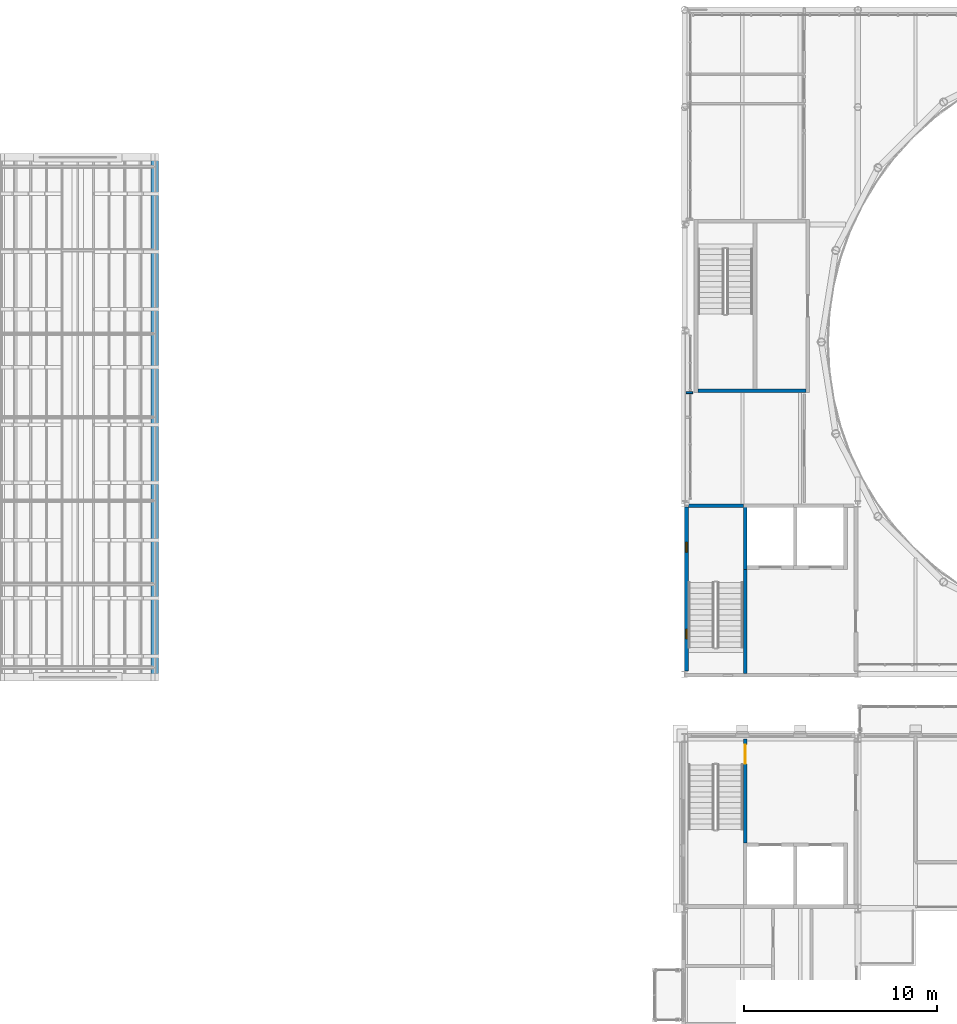
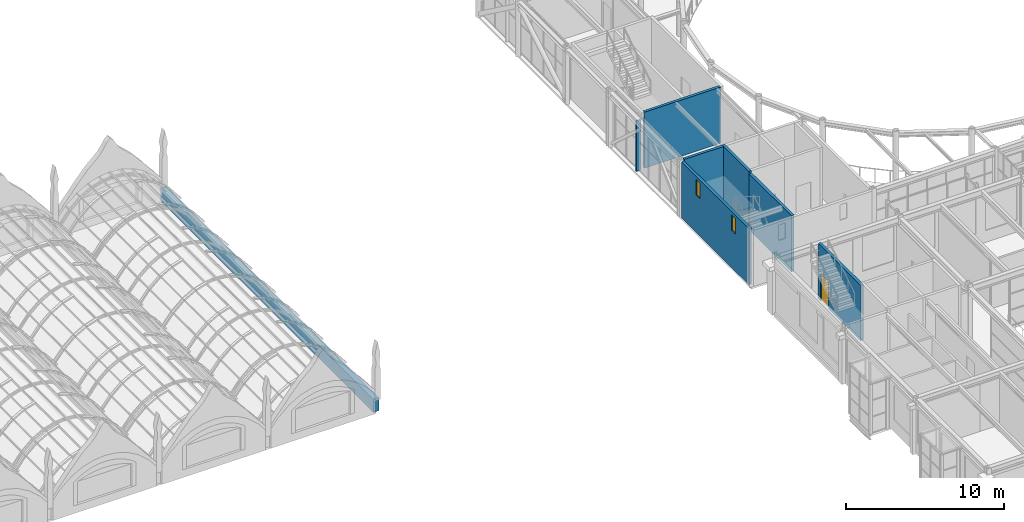
# One storey, part 69 of 111: 8 walls, 2 windows, 1 door, 3 openings.
"""IFC4 building model written with IfcOpenShell, lengths in metres."""

from ifc_helpers import new_model, si_unit, direction, frame, frame_2d, origin, place, context, subcontext, project, spatial, rectangle, extrude, material, layer, layer_set, type_object, element, fill, save


model = new_model("IFC4")

# Units and contexts
model_context = context("Model", 3, precision=1e-05, world=origin(), true_north=direction((0.0, 1.0)))
body_context = subcontext(model_context, "Body", "Model", "MODEL_VIEW")
ifc_project = project(units=[si_unit("LENGTHUNIT", "METRE"), si_unit("AREAUNIT", "SQUARE_METRE"), si_unit("VOLUMEUNIT", "CUBIC_METRE"), si_unit("PLANEANGLEUNIT", "RADIAN"), si_unit("MASSUNIT", "GRAM", prefix="KILO")], contexts=[model_context])

# Site, building, storey
site_placement = place(None, origin())
site = spatial("IfcSite", under=ifc_project, at=site_placement, CompositionType="ELEMENT")
building_placement = place(site_placement, origin())
building = spatial("IfcBuilding", under=site, at=building_placement, Name="Kallimachos Central Library", CompositionType="ELEMENT")
storey_placement = place(building_placement, frame((0.0, 0.0, 14.39990234375)))
storey = spatial("IfcBuildingStorey", under=building, at=storey_placement, Name="L03", CompositionType="ELEMENT", Elevation=14.39990234375)

# Walls
ifc_material_1 = material(Name="Concrete C30/37", Category="concrete")
ifc_layer_1 = layer(ifc_material_1, 0.39990234375)
ifc_layer_set_1 = layer_set([ifc_layer_1], Name="Concrete C30/37 upstand wall 400")
wall_type_1 = type_object("IfcWallType", Name="Concrete C30/37 upstand wall 400", PredefinedType="SOLIDWALL", material=ifc_layer_set_1)
wall_1_placement = place(storey_placement, frame((38.0, 87.0, 0.0), z_axis=(0.0, 0.0, 1.0), x_axis=(0.0, 1.0, 0.0)))
element("IfcWall", 1, at=wall_1_placement, inside=storey, type_object=wall_type_1, Name="Vault upstand wall line 5", PredefinedType="SOLIDWALL", context=body_context, shape_type="SweptSolid", body=[
    extrude(rectangle(XDim=27.0, YDim=0.39990234375, at=frame_2d((13.5, 0.0))), origin(), (0.0, 0.0, 1.0), 1.0),
])
ifc_material_2 = material(Name="Concrete C30/37", Category="concrete")
ifc_layer_2 = layer(ifc_material_2, 0.199951171875)
ifc_layer_set_2 = layer_set([ifc_layer_2], Name="Core wall 200")
wall_type_2 = type_object("IfcWallType", Name="Core wall 200", PredefinedType="SOLIDWALL", material=ifc_layer_set_2)
wall_2_placement = place(storey_placement, frame((65.699951171875, 95.89990234375, 0.0), z_axis=(0.0, 0.0, 1.0), x_axis=(1.0, 0.0, 0.0)))
element("IfcWall", 2, at=wall_2_placement, inside=storey, type_object=wall_type_2, Name="Core wall V1-SW N", PredefinedType="SOLIDWALL", context=body_context, shape_type="SweptSolid", body=[
    extrude(rectangle(XDim=2.85009765625, YDim=0.199951171875, at=frame_2d((1.425048828125, 0.0))), origin(), (0.0, 0.0, 1.0), 4.5),
])
wall_3_placement = place(storey_placement, frame((68.64990234375, 87.199951171875, 0.0), z_axis=(0.0, 0.0, 1.0), x_axis=(0.0, 1.0, 0.0)))
element("IfcWall", 3, at=wall_3_placement, inside=storey, type_object=wall_type_2, Name="Stair wall V1-SW", PredefinedType="SOLIDWALL", context=body_context, shape_type="SweptSolid", body=[
    extrude(rectangle(XDim=5.400146484375, YDim=0.199951171875, at=frame_2d((2.7001953125, 0.0))), origin(), (0.0, 0.0, 1.0), 4.35009765625),
])
wall_4_placement = place(storey_placement, frame((66.199951171875, 101.875, 0.0), z_axis=(0.0, 0.0, 1.0), x_axis=(1.0, 0.0, 0.0)))
element("IfcWall", 4, at=wall_4_placement, inside=storey, type_object=wall_type_2, Name="Core wall V1-NW S", PredefinedType="SOLIDWALL", context=body_context, shape_type="SweptSolid", body=[
    extrude(rectangle(XDim=5.60009765625, YDim=0.199951171875, at=frame_2d((2.800048828125, 0.0))), origin(), (0.0, 0.0, 1.0), 4.35009765625),
])
ifc_material_3 = material(Name="Concrete C30/37", Category="concrete")
ifc_layer_3 = layer(ifc_material_3, 0.199951171875)
ifc_layer_set_3 = layer_set([ifc_layer_3], Name="Lift shaft wall 200")
wall_type_3 = type_object("IfcWallType", Name="Lift shaft wall 200", PredefinedType="SOLIDWALL", material=ifc_layer_set_3)
wall_5_placement = place(storey_placement, frame((68.64990234375, 92.60009765625, 0.0), z_axis=(0.0, 0.0, 1.0), x_axis=(0.0, 1.0, 0.0)))
element("IfcWall", 5, at=wall_5_placement, inside=storey, type_object=wall_type_3, Name="V1-WAL-L03-003", PredefinedType="SOLIDWALL", context=body_context, shape_type="SweptSolid", body=[
    extrude(rectangle(XDim=3.39990234375, YDim=0.199951171875, at=frame_2d((1.699951171875, 0.0))), origin(), (0.0, 0.0, 1.0), 4.5),
])
ifc_material_4 = material(Name="Plasterboard on steel studs", Category="steel")
ifc_layer_4 = layer(ifc_material_4, 0.10009765625)
ifc_layer_set_4 = layer_set([ifc_layer_4], Name="Partition 100")
wall_type_4 = type_object("IfcWallType", Name="Partition 100", PredefinedType="PARTITIONING", material=ifc_layer_set_4)
wall_6_placement = place(storey_placement, frame((65.580078125, 101.77490234375, 0.0), z_axis=(0.0, 0.0, 1.0), x_axis=(1.0, 0.0, 0.0)))
element("IfcWall", 6, at=wall_6_placement, inside=storey, type_object=wall_type_4, Name="Partition", PredefinedType="PARTITIONING", context=body_context, shape_type="SweptSolid", body=[
    extrude(rectangle(XDim=0.33984375, YDim=0.10009765625, at=frame_2d((0.169921875, 0.0))), origin(), (0.0, 0.0, 1.0), 3.91015625),
])

# Wall, opening, door
ifc_material_5 = material(Name="Concrete C35/45", Category="concrete")
ifc_layer_5 = layer(ifc_material_5, 0.199951171875)
ifc_layer_set_5 = layer_set([ifc_layer_5], Name="Shear core wall 200, internal")
wall_type_5 = type_object("IfcWallType", Name="Shear core wall 200, internal", PredefinedType="SHEAR", material=ifc_layer_set_5)
wall_7_placement = place(storey_placement, frame((68.64990234375, 78.39990234375, 0.0), z_axis=(0.0, 0.0, 1.0), x_axis=(0.0, 1.0, 0.0)))
wall_7 = element("IfcWall", 7, at=wall_7_placement, inside=storey, type_object=wall_type_5, Name="L03 core wall V4-NW M", PredefinedType="SHEAR", context=body_context, shape_type="SweptSolid", body=[
    extrude(rectangle(XDim=5.400146484375, YDim=0.199951171875, at=frame_2d((2.7001953125, 0.0))), origin(), (0.0, 0.0, 1.0), 4.300048828125),
])
opening_1_placement = place(wall_7_placement, frame((4.10009765625, 0.0, 0.0)))
opening_1 = element("IfcOpeningElement", 8, at=opening_1_placement, cuts=wall_7, Name="Opening D154", PredefinedType="OPENING", context=body_context, shape_type="SweptSolid", body=[
    extrude(rectangle(XDim=1.0, YDim=2.10009765625, at=frame_2d((0.5, 1.050048828125))), frame((0.0, 0.10986328125, 0.0), z_axis=(0.0, -1.0, 0.0), x_axis=(1.0, 0.0, 0.0)), (0.0, 0.0, 1.0), 0.219970703125),
])
ifc_material_6 = material(Name="Timber", Category="wood")
door_type = type_object("IfcDoorType", Name="Single leaf door 1000 x 2100, EI2 90", OperationType="NOTDEFINED", PredefinedType="DOOR", material=ifc_material_6)
door_placement = place(opening_1_placement, origin())
door = element("IfcDoor", 9, at=door_placement, inside=storey, type_object=door_type, Name="L03 core door V4-NW", OperationType="SINGLE_SWING_RIGHT", OverallHeight=2.10009765625, OverallWidth=1.0, PredefinedType="DOOR", context=body_context, shape_type="SweptSolid", body=[
    extrude(rectangle(XDim=1.0, YDim=2.10009765625, at=frame_2d((0.5, 1.050048828125))), frame((0.0, 0.02490234375, 0.0), z_axis=(0.0, -1.0, 0.0), x_axis=(1.0, 0.0, 0.0)), (0.0, 0.0, 1.0), 0.050048828125),
])
fill(opening_1, door)

# Wall, openings, windows
ifc_material_7 = material(Name="Concrete C30/37", Category="concrete")
ifc_layer_6 = layer(ifc_material_7, 0.199951171875)
ifc_layer_set_6 = layer_set([ifc_layer_6], Name="Stone-clad core wall 200")
wall_type_6 = type_object("IfcWallType", Name="Stone-clad core wall 200", PredefinedType="SOLIDWALL", material=ifc_layer_set_6)
wall_8_placement = place(storey_placement, frame((65.60009765625, 87.31005859375, 0.0), z_axis=(0.0, 0.0, 1.0), x_axis=(0.0, 1.0, 0.0)))
wall_8 = element("IfcWall", 10, at=wall_8_placement, inside=storey, type_object=wall_type_6, Name="Core wall V1-SW W", PredefinedType="SOLIDWALL", context=body_context, shape_type="SweptSolid", body=[
    extrude(rectangle(XDim=8.530029296875, YDim=0.199951171875, at=frame_2d((4.26513671875, 0.0))), origin(), (0.0, 0.0, 1.0), 4.35009765625),
])
opening_2_placement = place(wall_8_placement, frame((1.68994140625, 0.0, 2.89990234375)))
opening_2 = element("IfcOpeningElement", 11, at=opening_2_placement, cuts=wall_8, Name="Opening W104", PredefinedType="OPENING", context=body_context, shape_type="SweptSolid", body=[
    extrude(rectangle(XDim=0.5, YDim=1.199951171875, at=frame_2d((0.25, 0.60009765625))), frame((0.0, 0.10986328125, 0.0), z_axis=(0.0, -1.0, 0.0), x_axis=(1.0, 0.0, 0.0)), (0.0, 0.0, 1.0), 0.219970703125),
])
opening_3_placement = place(wall_8_placement, frame((6.18994140625, 0.0, 2.89990234375)))
opening_3 = element("IfcOpeningElement", 12, at=opening_3_placement, cuts=wall_8, Name="Opening W105", PredefinedType="OPENING", context=body_context, shape_type="SweptSolid", body=[
    extrude(rectangle(XDim=0.5, YDim=1.199951171875, at=frame_2d((0.25, 0.60009765625))), frame((0.0, 0.10986328125, 0.0), z_axis=(0.0, -1.0, 0.0), x_axis=(1.0, 0.0, 0.0)), (0.0, 0.0, 1.0), 0.219970703125),
])
ifc_material_8 = material(Name="Laminated glass in bronze-anodised aluminium frame", Category="aluminium")
window_type = type_object("IfcWindowType", Name="Stair slot window 500x1200", PartitioningType="SINGLE_PANEL", PredefinedType="WINDOW", material=ifc_material_8)
window_1_placement = place(opening_2_placement, origin())
window_1 = element("IfcWindow", 13, at=window_1_placement, inside=storey, type_object=window_type, Name="V1-WIN-L03-001", OverallHeight=1.199951171875, OverallWidth=0.5, PartitioningType="SINGLE_PANEL", PredefinedType="WINDOW", context=body_context, shape_type="SweptSolid", body=[
    extrude(rectangle(XDim=0.5, YDim=1.199951171875, at=frame_2d((0.25, 0.60009765625))), frame((0.0, 0.030029296875, 0.0), z_axis=(0.0, -1.0, 0.0), x_axis=(1.0, 0.0, 0.0)), (0.0, 0.0, 1.0), 0.06005859375),
])
fill(opening_2, window_1)
window_2_placement = place(opening_3_placement, origin())
window_2 = element("IfcWindow", 14, at=window_2_placement, inside=storey, type_object=window_type, Name="V1-WIN-L03-002", OverallHeight=1.199951171875, OverallWidth=0.5, PartitioningType="SINGLE_PANEL", PredefinedType="WINDOW", context=body_context, shape_type="SweptSolid", body=[
    extrude(rectangle(XDim=0.5, YDim=1.199951171875, at=frame_2d((0.25, 0.60009765625))), frame((0.0, 0.030029296875, 0.0), z_axis=(0.0, -1.0, 0.0), x_axis=(1.0, 0.0, 0.0)), (0.0, 0.0, 1.0), 0.06005859375),
])
fill(opening_3, window_2)

save(model, "model.ifc")
